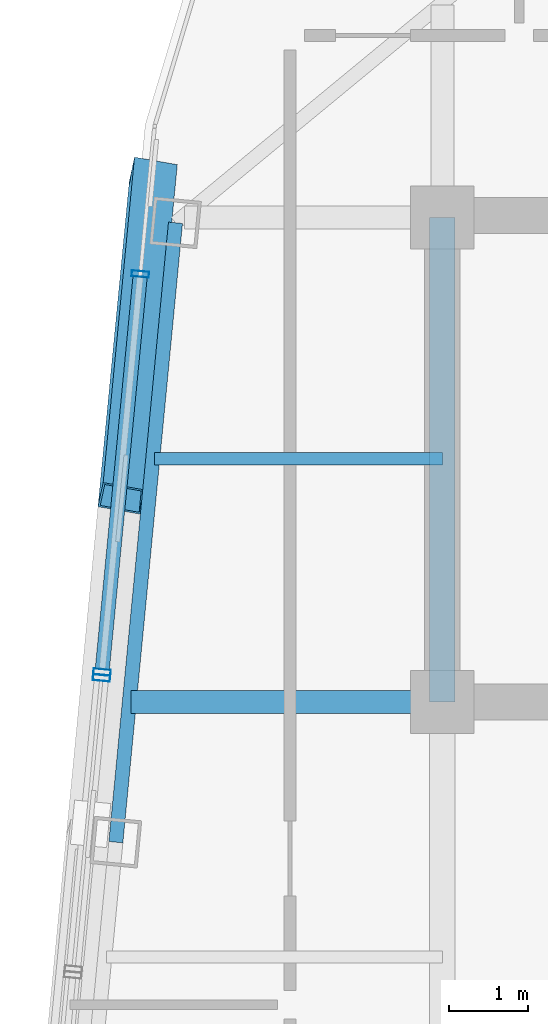
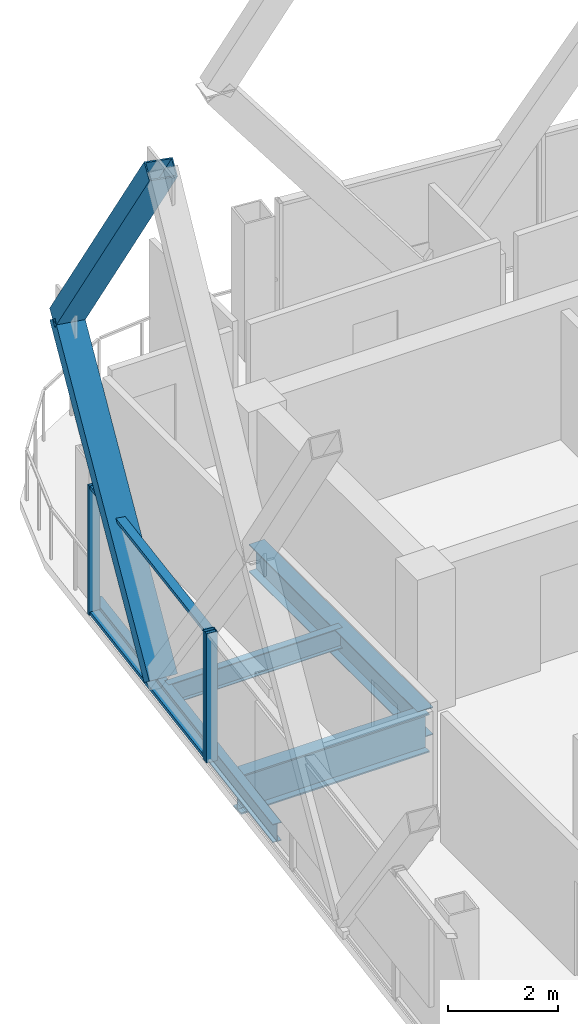
# One storey, part 11 of 25: 7 members, 4 beams, 2 elements without a shape of their own.
"""IFC4 building model written with IfcOpenShell, lengths in metres."""

from ifc_helpers import new_model, si_unit, direction, frame, origin, origin_2d, place, context, subcontext, project, spatial, hollow_rectangle, i_section, extrude, material, layer, layer_set, material_profile, profile_set, type_object, element, aggregate, save


model = new_model("IFC4")

# Units and contexts
model_context = context("Model", 3, precision=1e-05, world=origin(), true_north=direction((0.0, 1.0)))
body_context = subcontext(model_context, "Body", "Model", "MODEL_VIEW")
ifc_project = project(units=[si_unit("LENGTHUNIT", "METRE"), si_unit("AREAUNIT", "SQUARE_METRE"), si_unit("VOLUMEUNIT", "CUBIC_METRE"), si_unit("PLANEANGLEUNIT", "RADIAN"), si_unit("MASSUNIT", "GRAM", prefix="KILO")], contexts=[model_context])

# Site, building, storey
site_placement = place(None, origin())
site = spatial("IfcSite", under=ifc_project, at=site_placement, CompositionType="ELEMENT")
building_placement = place(site_placement, origin())
building = spatial("IfcBuilding", under=site, at=building_placement, Name="Qhalaya Broadcast Tower", CompositionType="ELEMENT")
storey_placement = place(building_placement, frame((0.0, 0.0, 255.050048828125)))
storey = spatial("IfcBuildingStorey", under=building, at=storey_placement, Name="L75", CompositionType="ELEMENT", Elevation=255.050048828125)

# Beams
ifc_material_1 = material(Name="Structural Steel ASTM A992 Grade 50", Category="steel")
ifc_material_profile_1 = material_profile(ifc_material_1, i_section(OverallWidth=0.154052734375, OverallDepth=0.458984375, WebThickness=0.009033203125, FlangeThickness=0.015380859375, at=origin_2d()), Name="W18X46")
ifc_profile_set_1 = profile_set([ifc_material_profile_1], Name="Structural Steel ASTM A992 Grade 50")
beam_type_1 = type_object("IfcBeamType", Name="Composite Floor Joist J04", PredefinedType="JOIST", material=ifc_profile_set_1)
beam_1_placement = place(storey_placement, frame((-13.015625, 6.89990234375, -0.41943359375), z_axis=(1.0, 0.0, 0.0), x_axis=(0.0, 1.0, 0.0)))
element("IfcBeam", 1, at=beam_1_placement, inside=storey, type_object=beam_type_1, Name="L75 J04 L75-JWE5W-1", PredefinedType="JOIST", context=body_context, shape_type="SweptSolid", body=[
    extrude(i_section(OverallWidth=0.154052734375, OverallDepth=0.458984375, WebThickness=0.009033203125, FlangeThickness=0.015380859375, at=origin_2d()), origin(), (0.0, 0.0, 1.0), 3.640625),
])
ifc_material_profile_2 = material_profile(ifc_material_1, i_section(OverallWidth=0.323974609375, OverallDepth=0.612060546875, WebThickness=0.0126953125, FlangeThickness=0.01904296875, at=origin_2d()), Name="W24X104")
ifc_profile_set_2 = profile_set([ifc_material_profile_2], Name="Structural Steel ASTM A992 Grade 50")
beam_type_2 = type_object("IfcBeamType", Name="Core Frame Tie Beam B04", PredefinedType="BEAM", material=ifc_profile_set_2)
beam_2_placement = place(storey_placement, frame((-9.375, 3.824951171875, -0.49609375), z_axis=(0.0, 1.0, 0.0), x_axis=(-1.0, 0.0, 0.0)))
element("IfcBeam", 2, at=beam_2_placement, inside=storey, type_object=beam_type_2, Name="L75 B04 L75-CCN2", PredefinedType="BEAM", context=body_context, shape_type="SweptSolid", body=[
    extrude(i_section(OverallWidth=0.323974609375, OverallDepth=0.612060546875, WebThickness=0.0126953125, FlangeThickness=0.01904296875, at=origin_2d()), origin(), (0.0, 0.0, 1.0), 6.125),
])

# Members
ifc_material_2 = material(Name="Structural Steel ASTM A572 Grade 50", Category="steel")
ifc_material_profile_3 = material_profile(ifc_material_2, hollow_rectangle(XDim=0.3798828125, YDim=0.550048828125, WallThickness=0.02490234375, at=origin_2d()), Name="BOX 380x550x25")
ifc_profile_set_3 = profile_set([ifc_material_profile_3], Name="Structural Steel ASTM A572 Grade 50")
member_type_1 = type_object("IfcMemberType", Name="Exoskeleton Diamond Diagonal Upper EX4", PredefinedType="BRACE", material=ifc_profile_set_3)
member_1_placement = place(storey_placement, frame((-13.425537109375, 6.3984375, 0.35986328125), z_axis=(0.058301925892, 0.605362942159, 0.793811434597), x_axis=(-0.171153078973, -0.777329359739, 0.60536409709)))
element("IfcMember", 3, at=member_1_placement, inside=storey, type_object=member_type_1, Name="B6 Exoskeleton Diamond Brace W1-D1", PredefinedType="BRACE", context=body_context, shape_type="SweptSolid", body=[
    extrude(hollow_rectangle(XDim=0.3798828125, YDim=0.550048828125, WallThickness=0.02490234375, at=origin_2d()), origin(), (0.0, 0.0, 1.0), 6.79638671875),
])
member_2_placement = place(storey_placement, frame((-13.029296875, 10.5126953125, 5.7548828125), z_axis=(-0.055161336321, -0.572753444041, 0.817869622443), x_axis=(0.17344881055, 0.801166493771, 0.572754536758)))
element("IfcMember", 4, at=member_2_placement, inside=storey, type_object=member_type_1, Name="B6 Exoskeleton Diamond Brace W1-D3", PredefinedType="BRACE", context=body_context, shape_type="SweptSolid", body=[
    extrude(hollow_rectangle(XDim=0.3798828125, YDim=0.550048828125, WallThickness=0.02490234375, at=origin_2d()), origin(), (0.0, 0.0, 1.0), 7.183349609375),
])

# Curtain wall, members
ifc_material_3 = material(Name="Fired Architectural Terracotta", Category="masonry")
ifc_layer_1 = layer(ifc_material_3, 0.219970703125, Name="Fired Architectural Terracotta")
ifc_layer_set_1 = layer_set([ifc_layer_1], Name="Fired Architectural Terracotta")
curtain_wall_type_1 = type_object("IfcCurtainWallType", Name="Block-Cap Unitised Terracotta Spandrel Wall CW-07", PredefinedType="NOTDEFINED", material=ifc_layer_set_1)
curtain_wall_1_placement = place(storey_placement, origin())
curtain_wall_1 = element("IfcCurtainWall", 5, at=curtain_wall_1_placement, inside=storey, type_object=curtain_wall_type_1, Name="L75 Unitised Curtain Wall L75-CW-W1", PredefinedType="NOTDEFINED")
ifc_material_4 = material(Name="Anodised Aluminium 6063-T6", Category="aluminium")
ifc_material_profile_4 = material_profile(ifc_material_4, hollow_rectangle(XDim=0.074951171875, YDim=0.219970703125, WallThickness=0.00390625, at=origin_2d()), Name="ALU-MUL 75x220x4")
ifc_profile_set_4 = profile_set([ifc_material_profile_4], Name="Anodised Aluminium 6063-T6")
member_type_2 = type_object("IfcMemberType", Name="Unitised Curtain-Wall Mullion M01", PredefinedType="MULLION", material=ifc_profile_set_4)
member_3_placement = place(storey_placement, frame((-13.192626953125, 9.235107421875, 0.0), z_axis=(0.0, 0.0, 1.0), x_axis=(-0.095847607498, -0.995396019751, 0.0)))
member_3 = element("IfcMember", 6, at=member_3_placement, type_object=member_type_2, Name="CW-07 mullion 1", PredefinedType="MULLION", context=body_context, shape_type="SweptSolid", body=[
    extrude(hollow_rectangle(XDim=0.074951171875, YDim=0.219970703125, WallThickness=0.00390625, at=origin_2d()), origin(), (0.0, 0.0, 1.0), 2.85986328125),
])
member_4_placement = place(storey_placement, frame((-13.677001953125, 4.203369140625, 0.0), z_axis=(0.0, 0.0, 1.0), x_axis=(-0.095847607498, -0.995396019751, 0.0)))
member_4 = element("IfcMember", 7, at=member_4_placement, type_object=member_type_2, Name="CW-07 mullion 2", PredefinedType="MULLION", context=body_context, shape_type="SweptSolid", body=[
    extrude(hollow_rectangle(XDim=0.074951171875, YDim=0.219970703125, WallThickness=0.00390625, at=origin_2d()), origin(), (0.0, 0.0, 1.0), 2.85986328125),
])

# Curtain wall, member
ifc_material_5 = material(Name="Solar-Control Low-E Triple Glazing", Category="glass")
ifc_layer_2 = layer(ifc_material_5, 0.219970703125, Name="Solar-Control Low-E Triple Glazing")
ifc_layer_set_2 = layer_set([ifc_layer_2], Name="Solar-Control Low-E Triple Glazing")
curtain_wall_type_2 = type_object("IfcCurtainWallType", Name="High-Altitude Upper-Shaft Triple Low-E Curtain Wall CW-04", PredefinedType="NOTDEFINED", material=ifc_layer_set_2)
curtain_wall_2_placement = place(storey_placement, origin())
curtain_wall_2 = element("IfcCurtainWall", 8, at=curtain_wall_2_placement, inside=storey, type_object=curtain_wall_type_2, Name="L75 Unitised Curtain Wall L75-CW-W2", PredefinedType="NOTDEFINED")
member_5_placement = place(storey_placement, frame((-13.684326171875, 4.128662109375, 0.0), z_axis=(0.0, 0.0, 1.0), x_axis=(-0.095839673292, -0.995396783712, 0.0)))
member_5 = element("IfcMember", 9, at=member_5_placement, type_object=member_type_2, Name="CW-04 mullion 1", PredefinedType="MULLION", context=body_context, shape_type="SweptSolid", body=[
    extrude(hollow_rectangle(XDim=0.074951171875, YDim=0.219970703125, WallThickness=0.00390625, at=origin_2d()), origin(), (0.0, 0.0, 1.0), 2.85986328125),
])
aggregate(curtain_wall_2, [member_5])

# Member
ifc_material_profile_5 = material_profile(ifc_material_4, hollow_rectangle(XDim=0.074951171875, YDim=0.179931640625, WallThickness=0.00390625, at=origin_2d()), Name="ALU-TRN 75x180x4")
ifc_profile_set_5 = profile_set([ifc_material_profile_5], Name="Anodised Aluminium 6063-T6")
member_type_3 = type_object("IfcMemberType", Name="Unitised Curtain-Wall Transom T01", PredefinedType="USERDEFINED", material=ifc_profile_set_5)
member_6_placement = place(storey_placement, frame((-13.1962890625, 9.19775390625, 0.037353515625), z_axis=(-0.095843186117, -0.99539644548, 0.0), x_axis=(0.0, 0.0, 1.0)))
member_6 = element("IfcMember", 10, at=member_6_placement, type_object=member_type_3, Name="CW-07 transom 1.1", ObjectType="TRANSOM", PredefinedType="USERDEFINED", context=body_context, shape_type="SweptSolid", body=[
    extrude(hollow_rectangle(XDim=0.074951171875, YDim=0.179931640625, WallThickness=0.00390625, at=origin_2d()), origin(), (0.0, 0.0, 1.0), 4.97998046875),
])

member_7_placement = place(storey_placement, frame((-13.1962890625, 9.19775390625, 2.822509765625), z_axis=(-0.095843186117, -0.99539644548, 0.0), x_axis=(0.0, 0.0, 1.0)))
member_7 = element("IfcMember", 11, at=member_7_placement, type_object=member_type_3, Name="CW-07 transom 1.2", ObjectType="TRANSOM", PredefinedType="USERDEFINED", context=body_context, shape_type="SweptSolid", body=[
    extrude(hollow_rectangle(XDim=0.074951171875, YDim=0.179931640625, WallThickness=0.00390625, at=origin_2d()), origin(), (0.0, 0.0, 1.0), 4.97998046875),
])

aggregate(curtain_wall_1, [member_3, member_4, member_6, member_7])

# Beams
ifc_material_profile_6 = material_profile(ifc_material_1, i_section(OverallWidth=0.2919921875, OverallDepth=0.85888671875, WebThickness=0.01708984375, FlangeThickness=0.031005859375, at=origin_2d()), Name="W33X169")
ifc_profile_set_6 = profile_set([ifc_material_profile_6], Name="Structural Steel ASTM A992 Grade 50")
beam_type_3 = type_object("IfcBeamType", Name="Upper Block Primary Girder PG4", PredefinedType="USERDEFINED", material=ifc_profile_set_6)
beam_3_placement = place(storey_placement, frame((-13.311767578125, 3.824951171875, -0.61962890625), z_axis=(1.0, 0.0, 0.0), x_axis=(0.0, 1.0, 0.0)))
element("IfcBeam", 12, at=beam_3_placement, inside=storey, type_object=beam_type_3, Name="L75 PG4 L75-PGYW3-1", ObjectType="GIRDER", PredefinedType="USERDEFINED", context=body_context, shape_type="SweptSolid", body=[
    extrude(i_section(OverallWidth=0.2919921875, OverallDepth=0.85888671875, WebThickness=0.01708984375, FlangeThickness=0.031005859375, at=origin_2d()), origin(), (0.0, 0.0, 1.0), 3.936767578125),
])
ifc_material_profile_7 = material_profile(ifc_material_1, i_section(OverallWidth=0.177978515625, OverallDepth=0.406005859375, WebThickness=0.0078125, FlangeThickness=0.0126953125, at=origin_2d()), Name="W16X40")
ifc_profile_set_7 = profile_set([ifc_material_profile_7], Name="Structural Steel ASTM A992 Grade 50")
beam_type_4 = type_object("IfcBeamType", Name="Upper Perimeter Spandrel Beam SP2", PredefinedType="SPANDREL", material=ifc_profile_set_7)
beam_4_placement = place(storey_placement, frame((-12.74853515625, 9.883056640625, -0.39306640625), z_axis=(-0.095834223619, -0.995397308407, 0.0), x_axis=(0.995397308407, -0.095834223619, 0.0)))
element("IfcBeam", 13, at=beam_4_placement, inside=storey, type_object=beam_type_4, Name="L75 SP2 L75-SPR-13", PredefinedType="SPANDREL", context=body_context, shape_type="SweptSolid", body=[
    extrude(i_section(OverallWidth=0.177978515625, OverallDepth=0.406005859375, WebThickness=0.0078125, FlangeThickness=0.0126953125, at=origin_2d()), origin(), (0.0, 0.0, 1.0), 7.86669921875),
])

save(model, "model.ifc")
